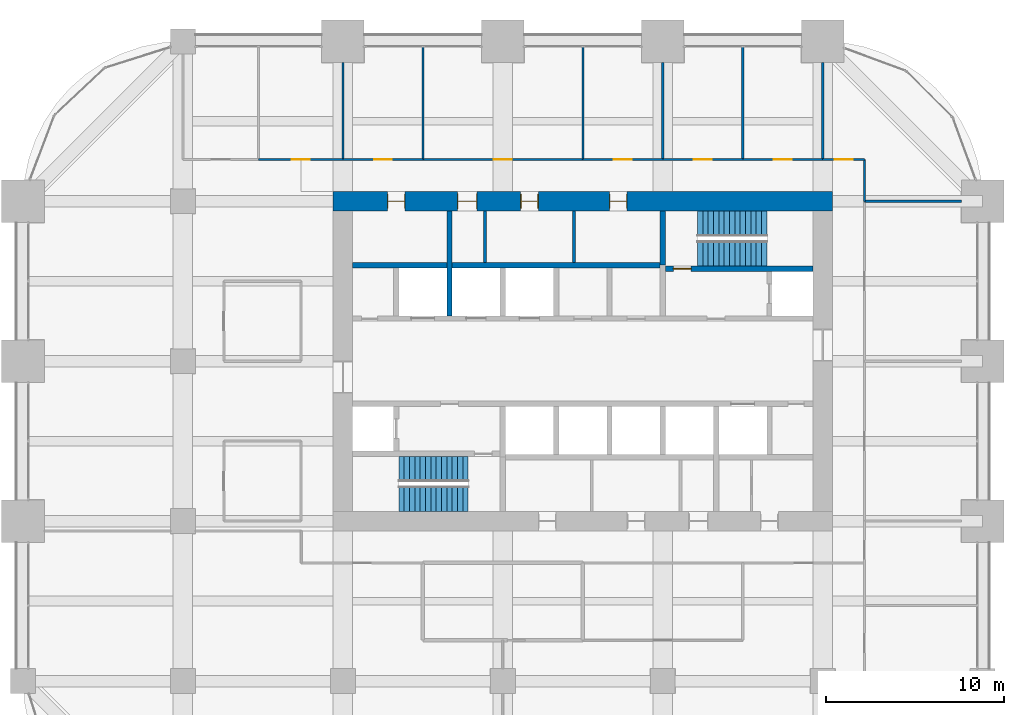
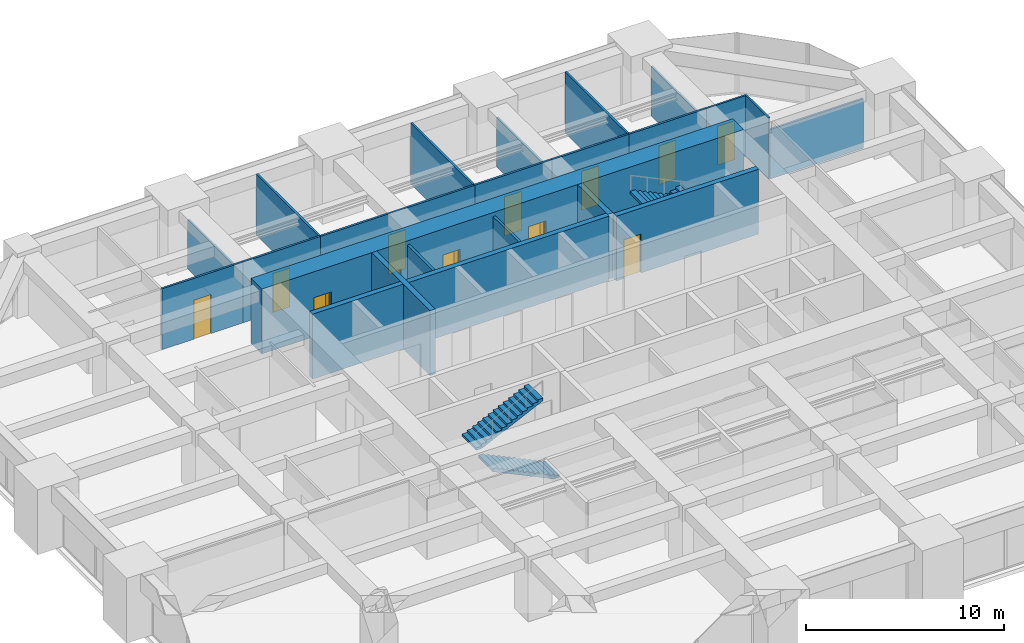
# One storey, part 31 of 32: 22 walls, 12 doors, 4 stair flights, 12 openings, 2 elements without a shape of their own.
"""IFC4 building model written with IfcOpenShell, lengths in metres."""

from ifc_helpers import new_model, si_unit, direction, frame, frame_2d, origin, place, context, subcontext, project, spatial, polyline, rectangle, outline, extrude, material, layer, layer_set, type_object, element, fill, aggregate, save


model = new_model("IFC4")

# Units and contexts
model_context = context("Model", 3, precision=1e-05, world=origin(), true_north=direction((0.0, 1.0)))
body_context = subcontext(model_context, "Body", "Model", "MODEL_VIEW")
ifc_project = project(units=[si_unit("LENGTHUNIT", "METRE"), si_unit("AREAUNIT", "SQUARE_METRE"), si_unit("VOLUMEUNIT", "CUBIC_METRE"), si_unit("PLANEANGLEUNIT", "RADIAN"), si_unit("MASSUNIT", "GRAM", prefix="KILO")], contexts=[model_context])

# Site, building, storey
site_placement = place(None, origin())
site = spatial("IfcSite", under=ifc_project, at=site_placement, CompositionType="ELEMENT")
building_placement = place(site_placement, origin())
building = spatial("IfcBuilding", under=site, at=building_placement, Name="Zorevar Civic Tower", CompositionType="ELEMENT")
storey_placement = place(building_placement, frame((0.0, 0.0, 202.199951171875)))
storey = spatial("IfcBuildingStorey", under=building, at=storey_placement, Name="L49", CompositionType="ELEMENT", Elevation=202.199951171875)

# Wall, openings, doors
ifc_material_1 = material(Name="Concrete C50/60", Category="concrete")
ifc_layer_1 = layer(ifc_material_1, 1.10009765625)
ifc_layer_set_1 = layer_set([ifc_layer_1], Name="Core wall 1100")
wall_type_1 = type_object("IfcWallType", Name="Core wall 1100", PredefinedType="SHEAR", material=ifc_layer_set_1)
wall_1_placement = place(storey_placement, frame((45.550048828125, 36.0, 0.0), z_axis=(0.0, 0.0, 1.0), x_axis=(-1.0, 0.0, 0.0)))
wall_1 = element("IfcWall", 1, at=wall_1_placement, inside=storey, type_object=wall_type_1, Name="Core wall N L49", PredefinedType="SHEAR", context=body_context, shape_type="SweptSolid", body=[
    extrude(rectangle(XDim=28.10009765625, YDim=1.10009765625, at=frame_2d((14.050048828125, 0.0))), origin(), (0.0, 0.0, 1.0), 4.0),
])
opening_1_placement = place(wall_1_placement, frame((11.550048828125, 0.0, 0.0)))
opening_1 = element("IfcOpeningElement", 2, at=opening_1_placement, cuts=wall_1, Name="Opening L49.07", PredefinedType="OPENING", context=body_context, shape_type="SweptSolid", body=[
    extrude(rectangle(XDim=1.0, YDim=2.39990234375, at=frame_2d((0.5, 1.199951171875))), frame((0.0, 0.56005859375, 0.0), z_axis=(0.0, -1.0, 0.0), x_axis=(1.0, 0.0, 0.0)), (0.0, 0.0, 1.0), 1.1201171875),
])
opening_2_placement = place(wall_1_placement, frame((16.550048828125, 0.0, 0.0)))
opening_2 = element("IfcOpeningElement", 3, at=opening_2_placement, cuts=wall_1, Name="Opening L49.08", PredefinedType="OPENING", context=body_context, shape_type="SweptSolid", body=[
    extrude(rectangle(XDim=1.0, YDim=2.39990234375, at=frame_2d((0.5, 1.199951171875))), frame((0.0, 0.56005859375, 0.0), z_axis=(0.0, -1.0, 0.0), x_axis=(1.0, 0.0, 0.0)), (0.0, 0.0, 1.0), 1.1201171875),
])
opening_3_placement = place(wall_1_placement, frame((20.0, 0.0, 0.0)))
opening_3 = element("IfcOpeningElement", 4, at=opening_3_placement, cuts=wall_1, Name="Opening L49.09", PredefinedType="OPENING", context=body_context, shape_type="SweptSolid", body=[
    extrude(rectangle(XDim=1.10009765625, YDim=2.39990234375, at=frame_2d((0.550048828125, 1.199951171875))), frame((0.0, 0.56005859375, 0.0), z_axis=(0.0, -1.0, 0.0), x_axis=(1.0, 0.0, 0.0)), (0.0, 0.0, 1.0), 1.1201171875),
])
opening_4_placement = place(wall_1_placement, frame((24.050048828125, 0.0, 0.0)))
opening_4 = element("IfcOpeningElement", 5, at=opening_4_placement, cuts=wall_1, Name="Opening L49.10", PredefinedType="OPENING", context=body_context, shape_type="SweptSolid", body=[
    extrude(rectangle(XDim=1.0, YDim=2.39990234375, at=frame_2d((0.5, 1.199951171875))), frame((0.0, 0.56005859375, 0.0), z_axis=(0.0, -1.0, 0.0), x_axis=(1.0, 0.0, 0.0)), (0.0, 0.0, 1.0), 1.1201171875),
])
ifc_material_2 = material(Name="Timber door set", Category="wood")
door_type_1 = type_object("IfcDoorType", Name="Door D1 1000x2400", OperationType="SINGLE_SWING_LEFT", PredefinedType="DOOR", material=ifc_material_2)
door_1_placement = place(opening_1_placement, origin())
door_1 = element("IfcDoor", 6, at=door_1_placement, inside=storey, type_object=door_type_1, Name="Door L49 06", OperationType="SINGLE_SWING_RIGHT", OverallHeight=2.39990234375, OverallWidth=1.0, PredefinedType="DOOR", context=body_context, shape_type="SweptSolid", body=[
    extrude(rectangle(XDim=1.0, YDim=2.39990234375, at=frame_2d((0.5, 1.199951171875))), frame((0.0, 0.02490234375, 0.0), z_axis=(0.0, -1.0, 0.0), x_axis=(1.0, 0.0, 0.0)), (0.0, 0.0, 1.0), 0.050048828125),
    extrude(rectangle(XDim=0.04, YDim=2.39990234375, at=frame_2d((0.02001953125, 1.199951171875))), frame((0.0, 0.39990234375, 0.0), z_axis=(0.0, -1.0, 0.0), x_axis=(1.0, 0.0, 0.0)), (0.0, 0.0, 1.0), 0.800048828125),
    extrude(rectangle(XDim=0.04, YDim=2.39990234375, at=frame_2d((0.97998046875, 1.199951171875))), frame((0.0, 0.39990234375, 0.0), z_axis=(0.0, -1.0, 0.0), x_axis=(1.0, 0.0, 0.0)), (0.0, 0.0, 1.0), 0.800048828125),
    extrude(rectangle(XDim=1.0, YDim=0.04, at=frame_2d((0.5, 2.3798828125))), frame((0.0, 0.39990234375, 0.0), z_axis=(0.0, -1.0, 0.0), x_axis=(1.0, 0.0, 0.0)), (0.0, 0.0, 1.0), 0.800048828125),
])
fill(opening_1, door_1)
door_2_placement = place(opening_2_placement, origin())
door_2 = element("IfcDoor", 7, at=door_2_placement, inside=storey, type_object=door_type_1, Name="Door L49 07", OperationType="SINGLE_SWING_LEFT", OverallHeight=2.39990234375, OverallWidth=1.0, PredefinedType="DOOR", context=body_context, shape_type="SweptSolid", body=[
    extrude(rectangle(XDim=1.0, YDim=2.39990234375, at=frame_2d((0.5, 1.199951171875))), frame((0.0, 0.02490234375, 0.0), z_axis=(0.0, -1.0, 0.0), x_axis=(1.0, 0.0, 0.0)), (0.0, 0.0, 1.0), 0.050048828125),
    extrude(rectangle(XDim=0.04, YDim=2.39990234375, at=frame_2d((0.02001953125, 1.199951171875))), frame((0.0, 0.39990234375, 0.0), z_axis=(0.0, -1.0, 0.0), x_axis=(1.0, 0.0, 0.0)), (0.0, 0.0, 1.0), 0.800048828125),
    extrude(rectangle(XDim=0.04, YDim=2.39990234375, at=frame_2d((0.97998046875, 1.199951171875))), frame((0.0, 0.39990234375, 0.0), z_axis=(0.0, -1.0, 0.0), x_axis=(1.0, 0.0, 0.0)), (0.0, 0.0, 1.0), 0.800048828125),
    extrude(rectangle(XDim=1.0, YDim=0.04, at=frame_2d((0.5, 2.3798828125))), frame((0.0, 0.39990234375, 0.0), z_axis=(0.0, -1.0, 0.0), x_axis=(1.0, 0.0, 0.0)), (0.0, 0.0, 1.0), 0.800048828125),
])
fill(opening_2, door_2)
door_3_placement = place(opening_4_placement, origin())
door_3 = element("IfcDoor", 8, at=door_3_placement, inside=storey, type_object=door_type_1, Name="Door L49 09", OperationType="SINGLE_SWING_LEFT", OverallHeight=2.39990234375, OverallWidth=1.0, PredefinedType="DOOR", context=body_context, shape_type="SweptSolid", body=[
    extrude(rectangle(XDim=1.0, YDim=2.39990234375, at=frame_2d((0.5, 1.199951171875))), frame((0.0, 0.02490234375, 0.0), z_axis=(0.0, -1.0, 0.0), x_axis=(1.0, 0.0, 0.0)), (0.0, 0.0, 1.0), 0.050048828125),
    extrude(rectangle(XDim=0.04, YDim=2.39990234375, at=frame_2d((0.02001953125, 1.199951171875))), frame((0.0, 0.39990234375, 0.0), z_axis=(0.0, -1.0, 0.0), x_axis=(1.0, 0.0, 0.0)), (0.0, 0.0, 1.0), 0.800048828125),
    extrude(rectangle(XDim=0.04, YDim=2.39990234375, at=frame_2d((0.97998046875, 1.199951171875))), frame((0.0, 0.39990234375, 0.0), z_axis=(0.0, -1.0, 0.0), x_axis=(1.0, 0.0, 0.0)), (0.0, 0.0, 1.0), 0.800048828125),
    extrude(rectangle(XDim=1.0, YDim=0.04, at=frame_2d((0.5, 2.3798828125))), frame((0.0, 0.39990234375, 0.0), z_axis=(0.0, -1.0, 0.0), x_axis=(1.0, 0.0, 0.0)), (0.0, 0.0, 1.0), 0.800048828125),
])
fill(opening_4, door_3)
ifc_material_3 = material(Name="Timber door set", Category="wood")
door_type_2 = type_object("IfcDoorType", Name="Door D5 1100x2400", OperationType="SINGLE_SWING_LEFT", PredefinedType="DOOR", material=ifc_material_3)
door_4_placement = place(opening_3_placement, origin())
door_4 = element("IfcDoor", 9, at=door_4_placement, inside=storey, type_object=door_type_2, Name="Door L49 08", OperationType="SINGLE_SWING_LEFT", OverallHeight=2.39990234375, OverallWidth=1.10009765625, PredefinedType="DOOR", context=body_context, shape_type="SweptSolid", body=[
    extrude(rectangle(XDim=1.10009765625, YDim=2.39990234375, at=frame_2d((0.550048828125, 1.199951171875))), frame((0.0, 0.02490234375, 0.0), z_axis=(0.0, -1.0, 0.0), x_axis=(1.0, 0.0, 0.0)), (0.0, 0.0, 1.0), 0.050048828125),
    extrude(rectangle(XDim=0.04, YDim=2.39990234375, at=frame_2d((0.02001953125, 1.199951171875))), frame((0.0, 0.43994140625, 0.0), z_axis=(0.0, -1.0, 0.0), x_axis=(1.0, 0.0, 0.0)), (0.0, 0.0, 1.0), 0.880126953125),
    extrude(rectangle(XDim=0.04, YDim=2.39990234375, at=frame_2d((1.080078125, 1.199951171875))), frame((0.0, 0.43994140625, 0.0), z_axis=(0.0, -1.0, 0.0), x_axis=(1.0, 0.0, 0.0)), (0.0, 0.0, 1.0), 0.880126953125),
    extrude(rectangle(XDim=1.10009765625, YDim=0.04, at=frame_2d((0.550048828125, 2.3798828125))), frame((0.0, 0.43994140625, 0.0), z_axis=(0.0, -1.0, 0.0), x_axis=(1.0, 0.0, 0.0)), (0.0, 0.0, 1.0), 0.880126953125),
])
fill(opening_3, door_4)

# Wall, opening, door
ifc_material_4 = material(Name="Laminated glass in black aluminium frame", Category="aluminium")
ifc_layer_2 = layer(ifc_material_4, 0.10009765625)
ifc_layer_set_2 = layer_set([ifc_layer_2], Name="Glazed partition 100")
wall_type_2 = type_object("IfcWallType", Name="Glazed partition 100", PredefinedType="PARTITIONING", material=ifc_layer_set_2)
wall_2_placement = place(storey_placement, frame((45.0, 38.35009765625, 0.0), z_axis=(0.0, 0.0, 1.0), x_axis=(1.0, 0.0, 0.0)))
wall_2 = element("IfcWall", 10, at=wall_2_placement, inside=storey, type_object=wall_type_2, Name="Glazed partition 100 L49", PredefinedType="PARTITIONING", context=body_context, shape_type="SweptSolid", body=[
    extrude(rectangle(XDim=2.35009765625, YDim=0.10009765625, at=frame_2d((1.175048828125, 0.0))), origin(), (0.0, 0.0, 1.0), 3.75),
])
opening_5_placement = place(wall_2_placement, frame((0.675048828125, 0.0, 0.0)))
opening_5 = element("IfcOpeningElement", 11, at=opening_5_placement, cuts=wall_2, Name="Opening L49.28", PredefinedType="OPENING", context=body_context, shape_type="SweptSolid", body=[
    extrude(rectangle(XDim=1.0, YDim=2.39990234375, at=frame_2d((0.5, 1.199951171875))), frame((0.0, 0.06005859375, 0.0), z_axis=(0.0, -1.0, 0.0), x_axis=(1.0, 0.0, 0.0)), (0.0, 0.0, 1.0), 0.1201171875),
])
ifc_material_5 = material(Name="Timber door set", Category="wood")
door_type_3 = type_object("IfcDoorType", Name="Glazed door GD1 1000x2400", OperationType="SINGLE_SWING_LEFT", PredefinedType="DOOR", material=ifc_material_5)
door_5_placement = place(opening_5_placement, origin())
door_5 = element("IfcDoor", 12, at=door_5_placement, inside=storey, type_object=door_type_3, Name="Door L49 D1", OperationType="SINGLE_SWING_RIGHT", OverallHeight=2.39990234375, OverallWidth=1.0, PredefinedType="DOOR", context=body_context, shape_type="SweptSolid", body=[
    extrude(rectangle(XDim=1.0, YDim=2.39990234375, at=frame_2d((0.5, 1.199951171875))), frame((0.0, 0.02001953125, 0.0), z_axis=(0.0, -1.0, 0.0), x_axis=(1.0, 0.0, 0.0)), (0.0, 0.0, 1.0), 0.0400390625),
])
fill(opening_5, door_5)

# Wall
wall_3_placement = place(storey_placement, frame((47.35009765625, 36.0, 0.0), z_axis=(0.0, 0.0, 1.0), x_axis=(0.0, 1.0, 0.0)))
element("IfcWall", 13, at=wall_3_placement, inside=storey, type_object=wall_type_2, Name="Glazed partition 100 L49", PredefinedType="PARTITIONING", context=body_context, shape_type="SweptSolid", body=[
    extrude(rectangle(XDim=2.35009765625, YDim=0.10009765625, at=frame_2d((1.175048828125, 0.0))), origin(), (0.0, 0.0, 1.0), 3.75),
])

# Wall, opening, door
ifc_material_6 = material(Name="Concrete C40/50", Category="concrete")
ifc_layer_3 = layer(ifc_material_6, 0.300048828125)
ifc_layer_set_3 = layer_set([ifc_layer_3], Name="Inner core wall 300")
wall_type_3 = type_object("IfcWallType", Name="Inner core wall 300", PredefinedType="SHEAR", material=ifc_layer_set_3)
wall_4_placement = place(storey_placement, frame((36.14990234375, 32.199951171875, 0.0), z_axis=(0.0, 0.0, 1.0), x_axis=(1.0, 0.0, 0.0)))
wall_4 = element("IfcWall", 14, at=wall_4_placement, inside=storey, type_object=wall_type_3, Name="Inner core wall N00 L49", PredefinedType="SHEAR", context=body_context, shape_type="SweptSolid", body=[
    extrude(rectangle(XDim=8.300048828125, YDim=0.300048828125, at=frame_2d((4.14990234375, 0.0))), origin(), (0.0, 0.0, 1.0), 4.0),
])
opening_6_placement = place(wall_4_placement, frame((0.449951171875, 0.0, 0.0)))
opening_6 = element("IfcOpeningElement", 15, at=opening_6_placement, cuts=wall_4, Name="Opening L49.12", PredefinedType="OPENING", context=body_context, shape_type="SweptSolid", body=[
    extrude(rectangle(XDim=1.0, YDim=2.39990234375, at=frame_2d((0.5, 1.199951171875))), frame((0.0, 0.159912109375, 0.0), z_axis=(0.0, -1.0, 0.0), x_axis=(1.0, 0.0, 0.0)), (0.0, 0.0, 1.0), 0.320068359375),
])
ifc_material_7 = material(Name="Steel door set", Category="steel")
door_type_4 = type_object("IfcDoorType", Name="Fire door FD1 1000x2400", OperationType="SINGLE_SWING_LEFT", PredefinedType="DOOR", material=ifc_material_7)
door_6_placement = place(opening_6_placement, origin())
door_6 = element("IfcDoor", 16, at=door_6_placement, inside=storey, type_object=door_type_4, Name="Door L49 11", OperationType="SINGLE_SWING_RIGHT", OverallHeight=2.39990234375, OverallWidth=1.0, PredefinedType="DOOR", context=body_context, shape_type="SweptSolid", body=[
    extrude(rectangle(XDim=1.0, YDim=2.39990234375, at=frame_2d((0.5, 1.199951171875))), frame((0.0, 0.030029296875, 0.0), z_axis=(0.0, -1.0, 0.0), x_axis=(1.0, 0.0, 0.0)), (0.0, 0.0, 1.0), 0.06005859375),
])
fill(opening_6, door_6)

# Walls
wall_5_placement = place(storey_placement, frame((36.0, 32.39990234375, 0.0), z_axis=(0.0, 0.0, 1.0), x_axis=(0.0, 1.0, 0.0)))
element("IfcWall", 17, at=wall_5_placement, inside=storey, type_object=wall_type_3, Name="Inner core wall N01 L49", PredefinedType="SHEAR", context=body_context, shape_type="SweptSolid", body=[
    extrude(rectangle(XDim=3.050048828125, YDim=0.300048828125, at=frame_2d((1.52490234375, 0.0))), origin(), (0.0, 0.0, 1.0), 4.0),
])
wall_6_placement = place(storey_placement, frame((18.550048828125, 32.39990234375, 0.0), z_axis=(0.0, 0.0, 1.0), x_axis=(1.0, 0.0, 0.0)))
element("IfcWall", 18, at=wall_6_placement, inside=storey, type_object=wall_type_3, Name="Inner core wall N04 L49", PredefinedType="SHEAR", context=body_context, shape_type="SweptSolid", body=[
    extrude(rectangle(XDim=17.300048828125, YDim=0.300048828125, at=frame_2d((8.64990234375, 0.0))), origin(), (0.0, 0.0, 1.0), 4.0),
])
wall_7_placement = place(storey_placement, frame((24.0, 29.550048828125, 0.0), z_axis=(0.0, 0.0, 1.0), x_axis=(0.0, 1.0, 0.0)))
element("IfcWall", 19, at=wall_7_placement, inside=storey, type_object=wall_type_3, Name="Inner core wall N08 L49", PredefinedType="SHEAR", context=body_context, shape_type="SweptSolid", body=[
    extrude(rectangle(XDim=5.89990234375, YDim=0.300048828125, at=frame_2d((2.949951171875, 0.0))), origin(), (0.0, 0.0, 1.0), 4.0),
])
ifc_material_8 = material(Name="Gypsum board on steel studs", Category="steel")
ifc_layer_4 = layer(ifc_material_8, 0.1201171875)
ifc_layer_set_4 = layer_set([ifc_layer_4], Name="Partition 120")
wall_type_4 = type_object("IfcWallType", Name="Partition 120", PredefinedType="PARTITIONING", material=ifc_layer_set_4)
wall_8_placement = place(storey_placement, frame((47.35009765625, 36.0, 0.0), z_axis=(0.0, 0.0, 1.0), x_axis=(1.0, 0.0, 0.0)))
element("IfcWall", 20, at=wall_8_placement, inside=storey, type_object=wall_type_4, Name="Partition 120 L49", PredefinedType="PARTITIONING", context=body_context, shape_type="SweptSolid", body=[
    extrude(rectangle(XDim=5.449951171875, YDim=0.1201171875, at=frame_2d((2.72509765625, 0.0))), origin(), (0.0, 0.0, 1.0), 3.050048828125),
])

# Wall, opening, door
wall_9_placement = place(storey_placement, frame((13.25, 38.35009765625, 0.0), z_axis=(0.0, 0.0, 1.0), x_axis=(1.0, 0.0, 0.0)))
wall_9 = element("IfcWall", 21, at=wall_9_placement, inside=storey, type_object=wall_type_4, Name="Partition 120 L49", PredefinedType="PARTITIONING", context=body_context, shape_type="SweptSolid", body=[
    extrude(rectangle(XDim=4.75, YDim=0.1201171875, at=frame_2d((2.375, 0.0))), origin(), (0.0, 0.0, 1.0), 3.75),
])
opening_7_placement = place(wall_9_placement, frame((1.875, 0.0, 0.0)))
opening_7 = element("IfcOpeningElement", 22, at=opening_7_placement, cuts=wall_9, Name="Opening L49.22", PredefinedType="OPENING", context=body_context, shape_type="SweptSolid", body=[
    extrude(rectangle(XDim=1.0, YDim=2.39990234375, at=frame_2d((0.5, 1.199951171875))), frame((0.0, 0.070068359375, 0.0), z_axis=(0.0, -1.0, 0.0), x_axis=(1.0, 0.0, 0.0)), (0.0, 0.0, 1.0), 0.14013671875),
])
door_7_placement = place(opening_7_placement, origin())
door_7 = element("IfcDoor", 23, at=door_7_placement, inside=storey, type_object=door_type_1, Name="Door L49 D1", OperationType="SINGLE_SWING_RIGHT", OverallHeight=2.39990234375, OverallWidth=1.0, PredefinedType="DOOR", context=body_context, shape_type="SweptSolid", body=[
    extrude(rectangle(XDim=1.0, YDim=2.39990234375, at=frame_2d((0.5, 1.199951171875))), frame((0.0, 0.02490234375, 0.0), z_axis=(0.0, -1.0, 0.0), x_axis=(1.0, 0.0, 0.0)), (0.0, 0.0, 1.0), 0.050048828125),
])
fill(opening_7, door_7)

wall_10_placement = place(storey_placement, frame((18.0, 38.35009765625, 0.0), z_axis=(0.0, 0.0, 1.0), x_axis=(1.0, 0.0, 0.0)))
wall_10 = element("IfcWall", 24, at=wall_10_placement, inside=storey, type_object=wall_type_4, Name="Partition 120 L49", PredefinedType="PARTITIONING", context=body_context, shape_type="SweptSolid", body=[
    extrude(rectangle(XDim=4.5, YDim=0.1201171875, at=frame_2d((2.25, 0.0))), origin(), (0.0, 0.0, 1.0), 3.75),
])
opening_8_placement = place(wall_10_placement, frame((1.75, 0.0, 0.0)))
opening_8 = element("IfcOpeningElement", 25, at=opening_8_placement, cuts=wall_10, Name="Opening L49.23", PredefinedType="OPENING", context=body_context, shape_type="SweptSolid", body=[
    extrude(rectangle(XDim=1.0, YDim=2.39990234375, at=frame_2d((0.5, 1.199951171875))), frame((0.0, 0.070068359375, 0.0), z_axis=(0.0, -1.0, 0.0), x_axis=(1.0, 0.0, 0.0)), (0.0, 0.0, 1.0), 0.14013671875),
])
door_8_placement = place(opening_8_placement, origin())
door_8 = element("IfcDoor", 26, at=door_8_placement, inside=storey, type_object=door_type_1, Name="Door L49 D1", OperationType="SINGLE_SWING_RIGHT", OverallHeight=2.39990234375, OverallWidth=1.0, PredefinedType="DOOR", context=body_context, shape_type="SweptSolid", body=[
    extrude(rectangle(XDim=1.0, YDim=2.39990234375, at=frame_2d((0.5, 1.199951171875))), frame((0.0, 0.02490234375, 0.0), z_axis=(0.0, -1.0, 0.0), x_axis=(1.0, 0.0, 0.0)), (0.0, 0.0, 1.0), 0.050048828125),
])
fill(opening_8, door_8)

wall_11_placement = place(storey_placement, frame((22.5, 38.35009765625, 0.0), z_axis=(0.0, 0.0, 1.0), x_axis=(1.0, 0.0, 0.0)))
wall_11 = element("IfcWall", 27, at=wall_11_placement, inside=storey, type_object=wall_type_4, Name="Partition 120 L49", PredefinedType="PARTITIONING", context=body_context, shape_type="SweptSolid", body=[
    extrude(rectangle(XDim=9.0, YDim=0.1201171875, at=frame_2d((4.5, 0.0))), origin(), (0.0, 0.0, 1.0), 3.75),
])
opening_9_placement = place(wall_11_placement, frame((4.0, 0.0, 0.0)))
opening_9 = element("IfcOpeningElement", 28, at=opening_9_placement, cuts=wall_11, Name="Opening L49.24", PredefinedType="OPENING", context=body_context, shape_type="SweptSolid", body=[
    extrude(rectangle(XDim=1.0, YDim=2.39990234375, at=frame_2d((0.5, 1.199951171875))), frame((0.0, 0.070068359375, 0.0), z_axis=(0.0, -1.0, 0.0), x_axis=(1.0, 0.0, 0.0)), (0.0, 0.0, 1.0), 0.14013671875),
])
door_9_placement = place(opening_9_placement, origin())
door_9 = element("IfcDoor", 29, at=door_9_placement, inside=storey, type_object=door_type_1, Name="Door L49 D1", OperationType="SINGLE_SWING_LEFT", OverallHeight=2.39990234375, OverallWidth=1.0, PredefinedType="DOOR", context=body_context, shape_type="SweptSolid", body=[
    extrude(rectangle(XDim=1.0, YDim=2.39990234375, at=frame_2d((0.5, 1.199951171875))), frame((0.0, 0.02490234375, 0.0), z_axis=(0.0, -1.0, 0.0), x_axis=(1.0, 0.0, 0.0)), (0.0, 0.0, 1.0), 0.050048828125),
])
fill(opening_9, door_9)

wall_12_placement = place(storey_placement, frame((31.5, 38.35009765625, 0.0), z_axis=(0.0, 0.0, 1.0), x_axis=(1.0, 0.0, 0.0)))
wall_12 = element("IfcWall", 30, at=wall_12_placement, inside=storey, type_object=wall_type_4, Name="Partition 120 L49", PredefinedType="PARTITIONING", context=body_context, shape_type="SweptSolid", body=[
    extrude(rectangle(XDim=4.5, YDim=0.1201171875, at=frame_2d((2.25, 0.0))), origin(), (0.0, 0.0, 1.0), 3.75),
])
opening_10_placement = place(wall_12_placement, frame((1.75, 0.0, 0.0)))
opening_10 = element("IfcOpeningElement", 31, at=opening_10_placement, cuts=wall_12, Name="Opening L49.25", PredefinedType="OPENING", context=body_context, shape_type="SweptSolid", body=[
    extrude(rectangle(XDim=1.0, YDim=2.39990234375, at=frame_2d((0.5, 1.199951171875))), frame((0.0, 0.070068359375, 0.0), z_axis=(0.0, -1.0, 0.0), x_axis=(1.0, 0.0, 0.0)), (0.0, 0.0, 1.0), 0.14013671875),
])
door_10_placement = place(opening_10_placement, origin())
door_10 = element("IfcDoor", 32, at=door_10_placement, inside=storey, type_object=door_type_1, Name="Door L49 D1", OperationType="SINGLE_SWING_RIGHT", OverallHeight=2.39990234375, OverallWidth=1.0, PredefinedType="DOOR", context=body_context, shape_type="SweptSolid", body=[
    extrude(rectangle(XDim=1.0, YDim=2.39990234375, at=frame_2d((0.5, 1.199951171875))), frame((0.0, 0.02490234375, 0.0), z_axis=(0.0, -1.0, 0.0), x_axis=(1.0, 0.0, 0.0)), (0.0, 0.0, 1.0), 0.050048828125),
])
fill(opening_10, door_10)

wall_13_placement = place(storey_placement, frame((36.0, 38.35009765625, 0.0), z_axis=(0.0, 0.0, 1.0), x_axis=(1.0, 0.0, 0.0)))
wall_13 = element("IfcWall", 33, at=wall_13_placement, inside=storey, type_object=wall_type_4, Name="Partition 120 L49", PredefinedType="PARTITIONING", context=body_context, shape_type="SweptSolid", body=[
    extrude(rectangle(XDim=4.5, YDim=0.1201171875, at=frame_2d((2.25, 0.0))), origin(), (0.0, 0.0, 1.0), 3.75),
])
opening_11_placement = place(wall_13_placement, frame((1.75, 0.0, 0.0)))
opening_11 = element("IfcOpeningElement", 34, at=opening_11_placement, cuts=wall_13, Name="Opening L49.26", PredefinedType="OPENING", context=body_context, shape_type="SweptSolid", body=[
    extrude(rectangle(XDim=1.0, YDim=2.39990234375, at=frame_2d((0.5, 1.199951171875))), frame((0.0, 0.070068359375, 0.0), z_axis=(0.0, -1.0, 0.0), x_axis=(1.0, 0.0, 0.0)), (0.0, 0.0, 1.0), 0.14013671875),
])
door_11_placement = place(opening_11_placement, origin())
door_11 = element("IfcDoor", 35, at=door_11_placement, inside=storey, type_object=door_type_1, Name="Door L49 D1", OperationType="SINGLE_SWING_LEFT", OverallHeight=2.39990234375, OverallWidth=1.0, PredefinedType="DOOR", context=body_context, shape_type="SweptSolid", body=[
    extrude(rectangle(XDim=1.0, YDim=2.39990234375, at=frame_2d((0.5, 1.199951171875))), frame((0.0, 0.02490234375, 0.0), z_axis=(0.0, -1.0, 0.0), x_axis=(1.0, 0.0, 0.0)), (0.0, 0.0, 1.0), 0.050048828125),
])
fill(opening_11, door_11)

wall_14_placement = place(storey_placement, frame((40.5, 38.35009765625, 0.0), z_axis=(0.0, 0.0, 1.0), x_axis=(1.0, 0.0, 0.0)))
wall_14 = element("IfcWall", 36, at=wall_14_placement, inside=storey, type_object=wall_type_4, Name="Partition 120 L49", PredefinedType="PARTITIONING", context=body_context, shape_type="SweptSolid", body=[
    extrude(rectangle(XDim=4.5, YDim=0.1201171875, at=frame_2d((2.25, 0.0))), origin(), (0.0, 0.0, 1.0), 3.75),
])
opening_12_placement = place(wall_14_placement, frame((1.75, 0.0, 0.0)))
opening_12 = element("IfcOpeningElement", 37, at=opening_12_placement, cuts=wall_14, Name="Opening L49.27", PredefinedType="OPENING", context=body_context, shape_type="SweptSolid", body=[
    extrude(rectangle(XDim=1.0, YDim=2.39990234375, at=frame_2d((0.5, 1.199951171875))), frame((0.0, 0.070068359375, 0.0), z_axis=(0.0, -1.0, 0.0), x_axis=(1.0, 0.0, 0.0)), (0.0, 0.0, 1.0), 0.14013671875),
])
door_12_placement = place(opening_12_placement, origin())
door_12 = element("IfcDoor", 38, at=door_12_placement, inside=storey, type_object=door_type_1, Name="Door L49 D1", OperationType="SINGLE_SWING_RIGHT", OverallHeight=2.39990234375, OverallWidth=1.0, PredefinedType="DOOR", context=body_context, shape_type="SweptSolid", body=[
    extrude(rectangle(XDim=1.0, YDim=2.39990234375, at=frame_2d((0.5, 1.199951171875))), frame((0.0, 0.02490234375, 0.0), z_axis=(0.0, -1.0, 0.0), x_axis=(1.0, 0.0, 0.0)), (0.0, 0.0, 1.0), 0.050048828125),
])
fill(opening_12, door_12)

# Walls
wall_15_placement = place(storey_placement, frame((18.0, 38.35009765625, 0.0), z_axis=(0.0, 0.0, 1.0), x_axis=(0.0, 1.0, 0.0)))
element("IfcWall", 39, at=wall_15_placement, inside=storey, type_object=wall_type_4, Name="Partition 120 L49", PredefinedType="PARTITIONING", context=body_context, shape_type="SweptSolid", body=[
    extrude(rectangle(XDim=5.449951171875, YDim=0.1201171875, at=frame_2d((2.72509765625, 0.0))), origin(), (0.0, 0.0, 1.0), 3.050048828125),
])
for number, where, z_axis, x_axis, name in (
    (40, (22.5, 38.35009765625, 0.0), (0.0, 0.0, 1.0), (0.0, 1.0, 0.0), "Partition 120 L49"),
    (41, (31.5, 38.35009765625, 0.0), (0.0, 0.0, 1.0), (0.0, 1.0, 0.0), "Partition 120 L49"),
):
    element("IfcWall", number, at=place(storey_placement, frame(where, z_axis=z_axis, x_axis=x_axis)), inside=storey, type_object=wall_type_4, Name=name, PredefinedType="PARTITIONING", context=body_context, shape_type="SweptSolid", body=[
        extrude(rectangle(XDim=6.33984375, YDim=0.1201171875, at=frame_2d((3.169921875, 0.0))), origin(), (0.0, 0.0, 1.0), 3.75),
    ])
wall_16_placement = place(storey_placement, frame((36.0, 38.35009765625, 0.0), z_axis=(0.0, 0.0, 1.0), x_axis=(0.0, 1.0, 0.0)))
element("IfcWall", 42, at=wall_16_placement, inside=storey, type_object=wall_type_4, Name="Partition 120 L49", PredefinedType="PARTITIONING", context=body_context, shape_type="SweptSolid", body=[
    extrude(rectangle(XDim=5.449951171875, YDim=0.1201171875, at=frame_2d((2.72509765625, 0.0))), origin(), (0.0, 0.0, 1.0), 3.050048828125),
])
wall_17_placement = place(storey_placement, frame((40.5, 38.35009765625, 0.0), z_axis=(0.0, 0.0, 1.0), x_axis=(0.0, 1.0, 0.0)))
element("IfcWall", 43, at=wall_17_placement, inside=storey, type_object=wall_type_4, Name="Partition 120 L49", PredefinedType="PARTITIONING", context=body_context, shape_type="SweptSolid", body=[
    extrude(rectangle(XDim=6.33984375, YDim=0.1201171875, at=frame_2d((3.169921875, 0.0))), origin(), (0.0, 0.0, 1.0), 3.75),
])
wall_18_placement = place(storey_placement, frame((45.0, 38.35009765625, 0.0), z_axis=(0.0, 0.0, 1.0), x_axis=(0.0, 1.0, 0.0)))
element("IfcWall", 44, at=wall_18_placement, inside=storey, type_object=wall_type_4, Name="Partition 120 L49", PredefinedType="PARTITIONING", context=body_context, shape_type="SweptSolid", body=[
    extrude(rectangle(XDim=5.449951171875, YDim=0.1201171875, at=frame_2d((2.72509765625, 0.0))), origin(), (0.0, 0.0, 1.0), 3.050048828125),
])
ifc_material_9 = material(Name="Gypsum board on steel studs, moisture resistant", Category="steel")
ifc_layer_5 = layer(ifc_material_9, 0.14990234375)
ifc_layer_set_5 = layer_set([ifc_layer_5], Name="WC partition 150")
wall_type_5 = type_object("IfcWallType", Name="WC partition 150", PredefinedType="PARTITIONING", material=ifc_layer_set_5)
for number, where, z_axis, x_axis, name in (
    (45, (31.0, 32.550048828125, 0.0), (0.0, 0.0, 1.0), (0.0, 1.0, 0.0), "WC partition L49"),
    (46, (26.0, 32.550048828125, 0.0), (0.0, 0.0, 1.0), (0.0, 1.0, 0.0), "WC partition L49"),
):
    element("IfcWall", number, at=place(storey_placement, frame(where, z_axis=z_axis, x_axis=x_axis)), inside=storey, type_object=wall_type_5, Name=name, PredefinedType="PARTITIONING", context=body_context, shape_type="SweptSolid", body=[
        extrude(rectangle(XDim=2.89990234375, YDim=0.14990234375, at=frame_2d((1.449951171875, 0.0))), origin(), (0.0, 0.0, 1.0), 3.75),
    ])

# Stair, stair flights
ifc_material_10 = material(Name="Precast concrete C40/50", Category="concrete")
stair_type = type_object("IfcStairType", Name="Stair ST 28R", PredefinedType="HALF_TURN_STAIR", material=ifc_material_10)
stair_1_placement = place(storey_placement, origin())
stair_1 = element("IfcStair", 47, at=stair_1_placement, inside=storey, type_object=stair_type, Name="Stair ST1 L49", PredefinedType="HALF_TURN_STAIR")
ifc_material_11 = material(Name="Precast concrete C40/50", Category="concrete")
stair_flight_type = type_object("IfcStairFlightType", Name="Stair flight", PredefinedType="STRAIGHT", material=ifc_material_11)
stair_flight_1_placement = place(storey_placement, frame((25.050048828125, 19.262451171875, 0.0), z_axis=(0.0, 0.0, 1.0), x_axis=(-1.0, 0.0, 0.0)))
stair_flight_1 = element("IfcStairFlight", 48, at=stair_flight_1_placement, type_object=stair_flight_type, Name="ST1 flight 1", NumberOfRisers=14, NumberOfTreads=13, PredefinedType="STRAIGHT", RiserHeight=0.142857143, TreadLength=0.3, context=body_context, shape_type="SweptSolid", body=[
    extrude(outline(polyline([(0.0, 0.0), (0.0, 0.142822265625), (0.300048828125, 0.142822265625), (0.300048828125, 0.28564453125), (0.60009765625, 0.28564453125), (0.60009765625, 0.428466796875), (0.89990234375, 0.428466796875), (0.89990234375, 0.571533203125), (1.199951171875, 0.571533203125), (1.199951171875, 0.71435546875), (1.5, 0.71435546875), (1.5, 0.857177734375), (1.800048828125, 0.857177734375), (1.800048828125, 1.0), (2.10009765625, 1.0), (2.10009765625, 1.142822265625), (2.39990234375, 1.142822265625), (2.39990234375, 1.28564453125), (2.699951171875, 1.28564453125), (2.699951171875, 1.428466796875), (3.0, 1.428466796875), (3.0, 1.571533203125), (3.300048828125, 1.571533203125), (3.300048828125, 1.71435546875), (3.60009765625, 1.71435546875), (3.60009765625, 1.857177734375), (3.89990234375, 1.857177734375), (3.89990234375, 2.0), (3.89990234375, 1.691162109375), (0.3486328125, 0.0), (0.0, 0.0)])), frame((0.0, 0.71240234375, 0.0), z_axis=(0.0, -1.0, 0.0), x_axis=(1.0, 0.0, 0.0)), (0.0, 0.0, 1.0), 1.425048828125),
])
stair_flight_2_placement = place(storey_placement, frame((21.14990234375, 20.9375, 2.0), z_axis=(0.0, 0.0, 1.0), x_axis=(1.0, 0.0, 0.0)))
stair_flight_2 = element("IfcStairFlight", 49, at=stair_flight_2_placement, type_object=stair_flight_type, Name="ST1 flight 2", NumberOfRisers=14, NumberOfTreads=13, PredefinedType="STRAIGHT", RiserHeight=0.142857143, TreadLength=0.3, context=body_context, shape_type="SweptSolid", body=[
    extrude(outline(polyline([(0.0, 0.0), (0.0, 0.142822265625), (0.300048828125, 0.142822265625), (0.300048828125, 0.28564453125), (0.60009765625, 0.28564453125), (0.60009765625, 0.428466796875), (0.89990234375, 0.428466796875), (0.89990234375, 0.571533203125), (1.199951171875, 0.571533203125), (1.199951171875, 0.71435546875), (1.5, 0.71435546875), (1.5, 0.857177734375), (1.800048828125, 0.857177734375), (1.800048828125, 1.0), (2.10009765625, 1.0), (2.10009765625, 1.142822265625), (2.39990234375, 1.142822265625), (2.39990234375, 1.28564453125), (2.699951171875, 1.28564453125), (2.699951171875, 1.428466796875), (3.0, 1.428466796875), (3.0, 1.571533203125), (3.300048828125, 1.571533203125), (3.300048828125, 1.71435546875), (3.60009765625, 1.71435546875), (3.60009765625, 1.857177734375), (3.89990234375, 1.857177734375), (3.89990234375, 2.0), (3.89990234375, 1.691162109375), (0.3486328125, 0.0), (0.0, 0.0)])), frame((0.0, 0.71240234375, 0.0), z_axis=(0.0, -1.0, 0.0), x_axis=(1.0, 0.0, 0.0)), (0.0, 0.0, 1.0), 1.425048828125),
])
aggregate(stair_1, [stair_flight_1, stair_flight_2])

stair_2_placement = place(storey_placement, origin())
stair_2 = element("IfcStair", 50, at=stair_2_placement, inside=storey, type_object=stair_type, Name="Stair ST2 L49", PredefinedType="HALF_TURN_STAIR")
stair_flight_3_placement = place(storey_placement, frame((37.949951171875, 34.737548828125, 0.0), z_axis=(0.0, 0.0, 1.0), x_axis=(1.0, 0.0, 0.0)))
stair_flight_3 = element("IfcStairFlight", 51, at=stair_flight_3_placement, type_object=stair_flight_type, Name="ST2 flight 1", NumberOfRisers=14, NumberOfTreads=13, PredefinedType="STRAIGHT", RiserHeight=0.142857143, TreadLength=0.3, context=body_context, shape_type="SweptSolid", body=[
    extrude(outline(polyline([(0.0, 0.0), (0.0, 0.142822265625), (0.300048828125, 0.142822265625), (0.300048828125, 0.28564453125), (0.60009765625, 0.28564453125), (0.60009765625, 0.428466796875), (0.89990234375, 0.428466796875), (0.89990234375, 0.571533203125), (1.199951171875, 0.571533203125), (1.199951171875, 0.71435546875), (1.5, 0.71435546875), (1.5, 0.857177734375), (1.800048828125, 0.857177734375), (1.800048828125, 1.0), (2.10009765625, 1.0), (2.10009765625, 1.142822265625), (2.39990234375, 1.142822265625), (2.39990234375, 1.28564453125), (2.699951171875, 1.28564453125), (2.699951171875, 1.428466796875), (3.0, 1.428466796875), (3.0, 1.571533203125), (3.300048828125, 1.571533203125), (3.300048828125, 1.71435546875), (3.60009765625, 1.71435546875), (3.60009765625, 1.857177734375), (3.89990234375, 1.857177734375), (3.89990234375, 2.0), (3.89990234375, 1.691162109375), (0.3486328125, 0.0), (0.0, 0.0)])), frame((0.0, 0.71240234375, 0.0), z_axis=(0.0, -1.0, 0.0), x_axis=(1.0, 0.0, 0.0)), (0.0, 0.0, 1.0), 1.425048828125),
])
stair_flight_4_placement = place(storey_placement, frame((41.85009765625, 33.0625, 2.0), z_axis=(0.0, 0.0, 1.0), x_axis=(-1.0, 0.0, 0.0)))
stair_flight_4 = element("IfcStairFlight", 52, at=stair_flight_4_placement, type_object=stair_flight_type, Name="ST2 flight 2", NumberOfRisers=14, NumberOfTreads=13, PredefinedType="STRAIGHT", RiserHeight=0.142857143, TreadLength=0.3, context=body_context, shape_type="SweptSolid", body=[
    extrude(outline(polyline([(0.0, 0.0), (0.0, 0.142822265625), (0.300048828125, 0.142822265625), (0.300048828125, 0.28564453125), (0.60009765625, 0.28564453125), (0.60009765625, 0.428466796875), (0.89990234375, 0.428466796875), (0.89990234375, 0.571533203125), (1.199951171875, 0.571533203125), (1.199951171875, 0.71435546875), (1.5, 0.71435546875), (1.5, 0.857177734375), (1.800048828125, 0.857177734375), (1.800048828125, 1.0), (2.10009765625, 1.0), (2.10009765625, 1.142822265625), (2.39990234375, 1.142822265625), (2.39990234375, 1.28564453125), (2.699951171875, 1.28564453125), (2.699951171875, 1.428466796875), (3.0, 1.428466796875), (3.0, 1.571533203125), (3.300048828125, 1.571533203125), (3.300048828125, 1.71435546875), (3.60009765625, 1.71435546875), (3.60009765625, 1.857177734375), (3.89990234375, 1.857177734375), (3.89990234375, 2.0), (3.89990234375, 1.691162109375), (0.3486328125, 0.0), (0.0, 0.0)])), frame((0.0, 0.71240234375, 0.0), z_axis=(0.0, -1.0, 0.0), x_axis=(1.0, 0.0, 0.0)), (0.0, 0.0, 1.0), 1.425048828125),
])
aggregate(stair_2, [stair_flight_3, stair_flight_4])

save(model, "model.ifc")
